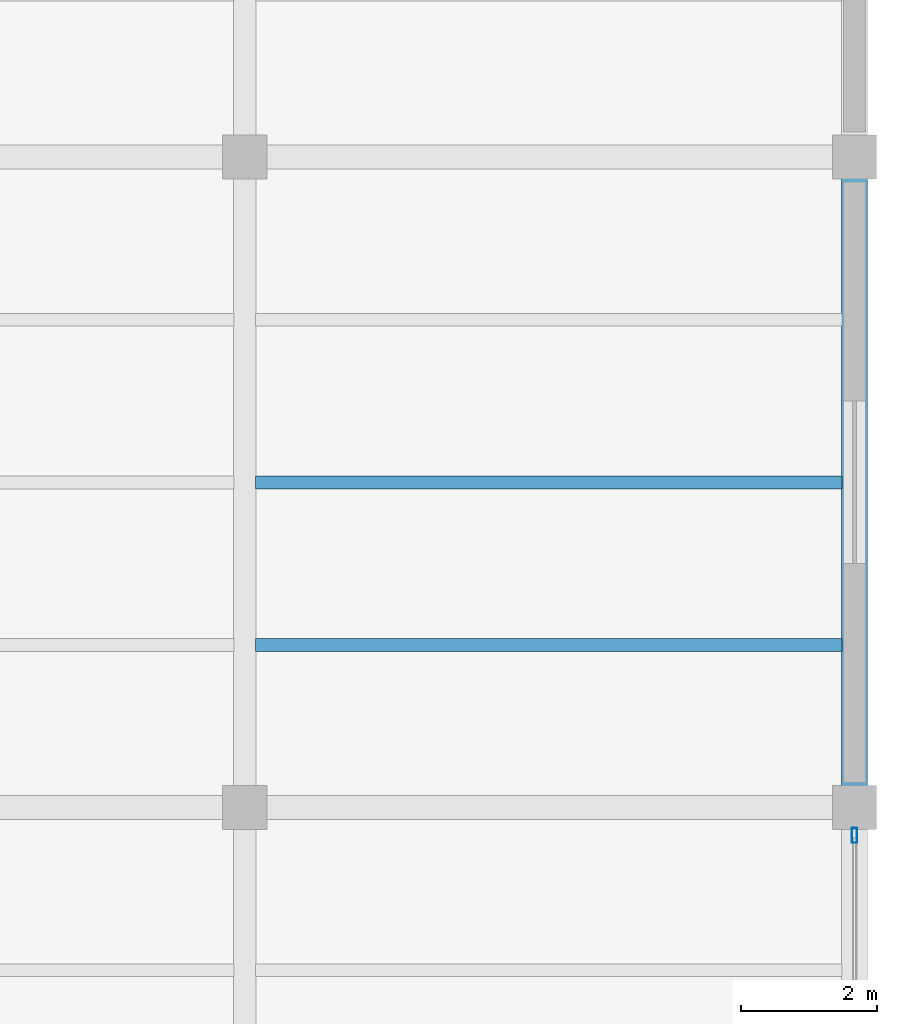
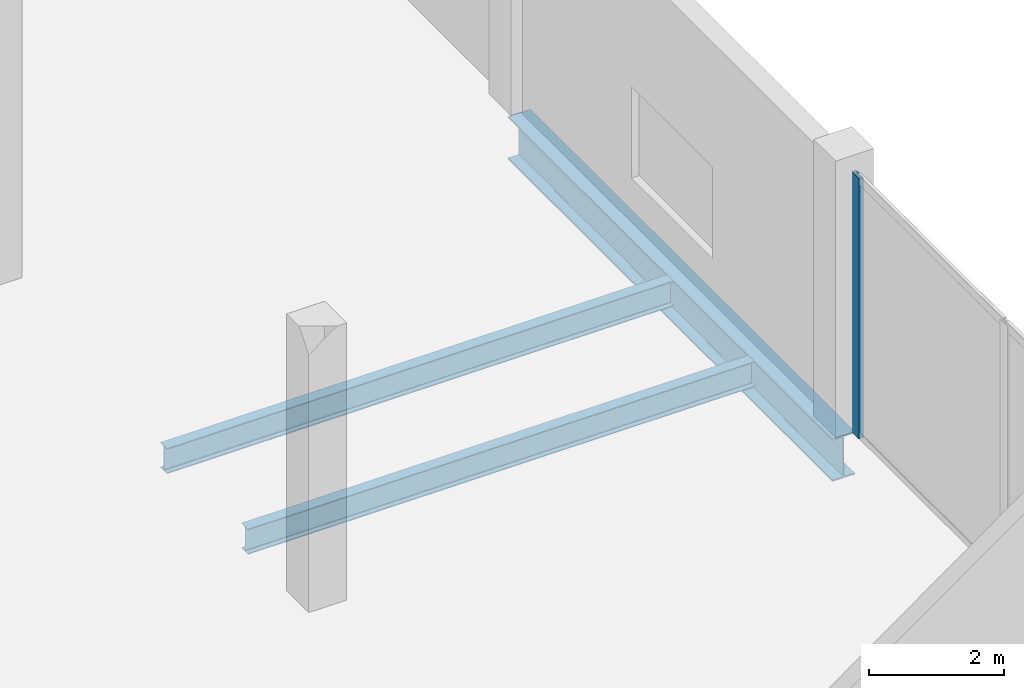
# One storey, part 24 of 43: 3 beams, 1 member, 1 element without a shape of its own.
"""IFC4 building model written with IfcOpenShell, lengths in metres."""

import ifcopenshell
import ifcopenshell.guid

model = None  # the IFC model being written
_history = None  # IfcOwnerHistory: only IFC2X3 demands one
_inside = {}  # id of a spatial element -> (the spatial element, [elements in it])
_under = {}  # id of a project, library or spatial element -> (it, [spatial elements below it])
_declared = {}  # id of a project -> (the project, [libraries it declares])
_typed = {}  # id of a type object -> (the type object, [elements of that type])
_made_of = {}  # id of a material, layer set ... -> (it, [elements and type objects made of it])


def new_model(schema):
    """Start an empty IFC model of exactly this schema.

    Asked for "IFC4X3", IfcOpenShell would pick the latest addendum, in which some entities
    have other attributes; the version numbers below select the first issue.
    IFC2X3 requires an IfcOwnerHistory on every rooted entity: one is made here for all.
    """
    global model, _history
    if schema == "IFC4X3":
        model = ifcopenshell.file(schema_version=(4, 3, 0, 0))
    else:
        model = ifcopenshell.file(schema=schema)
    _inside.clear()
    _under.clear()
    _declared.clear()
    _typed.clear()
    _made_of.clear()
    _history = None
    if model.schema == "IFC2X3":
        org = make("IfcOrganization", Name="unknown")
        user = make(
            "IfcPersonAndOrganization",
            ThePerson=make("IfcPerson", FamilyName="unknown"),
            TheOrganization=org,
        )
        app = make(
            "IfcApplication",
            ApplicationDeveloper=org,
            Version="unknown",
            ApplicationFullName="unknown",
            ApplicationIdentifier="unknown",
        )
        _history = make(
            "IfcOwnerHistory",
            OwningUser=user,
            OwningApplication=app,
            ChangeAction="ADDED",
            CreationDate=0,
        )
    return model


def make(cls, **values):
    """One entity of the class cls with the attributes given. An attribute that is None is left unset."""
    return model.create_entity(
        cls, **{name: value for name, value in values.items() if value is not None}
    )


def rooted(cls, **values):
    """An entity with a GlobalId (a new one), such as an element, a storey or a relation."""
    return make(cls, GlobalId=ifcopenshell.guid.new(), OwnerHistory=_history, **values)


def si_unit(unit_type, name, prefix=None):
    """IfcSIUnit, for example si_unit("LENGTHUNIT", "METRE", prefix="MILLI")."""
    return make("IfcSIUnit", UnitType=unit_type, Prefix=prefix, Name=name)


def assignment(units):
    """IfcUnitAssignment: the units of a project."""
    return None if units is None else make("IfcUnitAssignment", Units=units)


def point(xyz):
    """IfcCartesianPoint."""
    return None if xyz is None else make("IfcCartesianPoint", Coordinates=xyz)


def direction(xyz):
    """IfcDirection."""
    return None if xyz is None else make("IfcDirection", DirectionRatios=xyz)


def frame(location, z_axis=None, x_axis=None):
    """IfcAxis2Placement3D, a coordinate frame: its origin and axes. An axis left out is left unset."""
    return make(
        "IfcAxis2Placement3D",
        Location=point(location),
        Axis=direction(z_axis),
        RefDirection=direction(x_axis),
    )


def frame_2d(location, x_axis=None):
    """IfcAxis2Placement2D, a coordinate frame in the plane: its origin and x axis."""
    return make(
        "IfcAxis2Placement2D", Location=point(location), RefDirection=direction(x_axis)
    )


def origin():
    """The frame at (0, 0, 0) with its axes left unset."""
    return frame((0.0, 0.0, 0.0))


def origin_2d():
    """The frame at (0, 0) in the plane with its x axis left unset."""
    return frame_2d((0.0, 0.0))


def place(relative_to, where):
    """IfcLocalPlacement: puts the frame where relative to a parent placement (None: the world)."""
    return make(
        "IfcLocalPlacement", PlacementRelTo=relative_to, RelativePlacement=where
    )


def context(
    kind, dimensions, precision=None, world=None, true_north=None, identifier=None
):
    """IfcGeometricRepresentationContext, for example the 3D "Model" context."""
    return make(
        "IfcGeometricRepresentationContext",
        ContextIdentifier=identifier,
        ContextType=kind,
        CoordinateSpaceDimension=dimensions,
        Precision=precision,
        WorldCoordinateSystem=world,
        TrueNorth=true_north,
    )


def subcontext(parent, identifier, kind, view, scale=None):
    """IfcGeometricRepresentationSubContext, for example "Body" below "Model"."""
    return make(
        "IfcGeometricRepresentationSubContext",
        ContextIdentifier=identifier,
        ContextType=kind,
        ParentContext=parent,
        TargetScale=scale,
        TargetView=view,
    )


def project(units=None, contexts=None):
    """IfcProject with its units and contexts."""
    return rooted(
        "IfcProject",
        Name="project",
        RepresentationContexts=contexts,
        UnitsInContext=assignment(units),
    )


def spatial(cls, under=None, at=None, **own):
    """A site, building, storey or space (cls), placed at a placement, below another one or the project."""
    s = rooted(cls, ObjectPlacement=at, **own)
    if under is not None:
        _under.setdefault(under.id(), (under, []))[1].append(s)
    return s


def profile(cls, at=None, kind="AREA", **sizes):
    """A parametric profile (cls). Its sizes go by their IFC names, for example OverallWidth=200.0."""
    return make(cls, ProfileType=kind, Position=at, **sizes)


def hollow_rectangle(**sizes):
    """IfcRectangleHollowProfileDef."""
    return profile("IfcRectangleHollowProfileDef", **sizes)


def i_section(**sizes):
    """IfcIShapeProfileDef."""
    return profile("IfcIShapeProfileDef", **sizes)


def extrude(swept, where, along, depth):
    """IfcExtrudedAreaSolid: the profile swept, set in the frame where, extruded along a direction by depth."""
    return make(
        "IfcExtrudedAreaSolid",
        SweptArea=swept,
        Position=where,
        ExtrudedDirection=direction(along),
        Depth=depth,
    )


def shape(context_of_items, identifier, shape_type, items):
    """IfcShapeRepresentation: the items that make up one representation, for example the "Body"."""
    return make(
        "IfcShapeRepresentation",
        ContextOfItems=context_of_items,
        RepresentationIdentifier=identifier,
        RepresentationType=shape_type,
        Items=items,
    )


def material(Name=None, Category=None):
    """IfcMaterial."""
    return make("IfcMaterial", Name=Name, Category=Category)


def layer(
    of_material, thickness, ventilated=None, Name=None, Category=None, Priority=None
):
    """IfcMaterialLayer: one layer of a wall or slab, of a material (None: an air gap)."""
    return make(
        "IfcMaterialLayer",
        Material=of_material,
        LayerThickness=thickness,
        IsVentilated=ventilated,
        Name=Name,
        Category=Category,
        Priority=Priority,
    )


def layer_set(layers, Name=None):
    """IfcMaterialLayerSet."""
    return make("IfcMaterialLayerSet", MaterialLayers=layers, LayerSetName=Name)


def material_profile(
    of_material, cross_section, Name=None, Category=None, Priority=None
):
    """IfcMaterialProfile: a cross section and its material."""
    return make(
        "IfcMaterialProfile",
        Name=Name,
        Material=of_material,
        Profile=cross_section,
        Priority=Priority,
        Category=Category,
    )


def profile_set(profiles, Name=None, composite=None):
    """IfcMaterialProfileSet."""
    return make(
        "IfcMaterialProfileSet",
        Name=Name,
        MaterialProfiles=profiles,
        CompositeProfile=composite,
    )


def made_of(thing, what):
    """Note that an element or type object is made of a material, layer set ...; save() writes the relation."""
    if what is not None:
        _made_of.setdefault(what.id(), (what, []))[1].append(thing)
    return thing


def type_object(cls, material=None, **own):
    """A type object (cls), such as IfcWallType, which elements share."""
    return made_of(rooted(cls, **own), material)


def element(
    cls,
    number,
    at=None,
    inside=None,
    cuts=None,
    type_object=None,
    material=None,
    context=None,
    identifier="Body",
    shape_type=None,
    held_by="IfcProductDefinitionShape",
    body=None,
    shapes=None,
    **own,
):
    """One element of the class cls, such as IfcWall. Its Tag is "e" and its number.

    at: its placement. inside: the storey or other place that contains it. cuts: it is an
    opening in that element (IfcRelVoidsElement). A single representation is given by context,
    identifier, shape_type and body (its items); several are given by shapes. held_by: the class
    of the entity that holds the representations. save() writes the other relations.
    """
    e = rooted(cls, Tag="e%d" % number, ObjectPlacement=at, **own)
    if body is not None:
        shapes = [shape(context, identifier, shape_type, body)]
    if shapes is not None:
        e.Representation = make(held_by, Representations=shapes)
    if inside is not None:
        _inside.setdefault(inside.id(), (inside, []))[1].append(e)
    if cuts is not None:
        rooted(
            "IfcRelVoidsElement", RelatingBuildingElement=cuts, RelatedOpeningElement=e
        )
    if type_object is not None:
        _typed.setdefault(type_object.id(), (type_object, []))[1].append(e)
    return made_of(e, material)


def aggregate(whole, parts):
    """IfcRelAggregates: a whole, such as a stair, and the parts it consists of."""
    return rooted("IfcRelAggregates", RelatingObject=whole, RelatedObjects=parts)


def save(model, path):
    """Write the relations noted so far, then the file.

    IfcRelAggregates (storeys below a building ...), IfcRelContainedInSpatialStructure (elements
    in a storey), IfcRelDefinesByType, IfcRelAssociatesMaterial and IfcRelDeclares: one each for
    every whole, place, type object, material and project.
    """
    for whole, parts in _under.values():
        aggregate(whole, parts)
    for where, things in _inside.values():
        rooted(
            "IfcRelContainedInSpatialStructure",
            RelatedElements=things,
            RelatingStructure=where,
        )
    for kind, things in _typed.values():
        rooted("IfcRelDefinesByType", RelatedObjects=things, RelatingType=kind)
    for what, things in _made_of.values():
        rooted("IfcRelAssociatesMaterial", RelatedObjects=things, RelatingMaterial=what)
    for by, libraries in _declared.values():
        rooted("IfcRelDeclares", RelatingContext=by, RelatedDefinitions=libraries)
    model.write(path)


model = new_model("IFC4")

# Units and contexts
model_context = context("Model", 3, precision=1e-05, world=origin(), true_north=direction((0.0, 1.0)))
body_context = subcontext(model_context, "Body", "Model", "MODEL_VIEW")
ifc_project = project(units=[si_unit("LENGTHUNIT", "METRE"), si_unit("AREAUNIT", "SQUARE_METRE"), si_unit("VOLUMEUNIT", "CUBIC_METRE"), si_unit("PLANEANGLEUNIT", "RADIAN"), si_unit("MASSUNIT", "GRAM", prefix="KILO")], contexts=[model_context])

# Site, building, storey
site_placement = place(None, origin())
site = spatial("IfcSite", under=ifc_project, at=site_placement, CompositionType="ELEMENT")
building_placement = place(site_placement, origin())
building = spatial("IfcBuilding", under=site, at=building_placement, Name="Qorvath Tower", CompositionType="ELEMENT")
storey_placement = place(building_placement, frame((0.0, 0.0, 22.0)))
storey = spatial("IfcBuildingStorey", under=building, at=storey_placement, Name="L04", CompositionType="ELEMENT", Elevation=22.0)

# Beams
ifc_material_1 = material(Name="Steel ASTM A992 Grade 50", Category="steel")
ifc_material_profile_1 = material_profile(ifc_material_1, i_section(OverallWidth=0.381103515625, OverallDepth=0.77294921875, WebThickness=0.0166015625, FlangeThickness=0.027099609375, FilletRadius=0.01904296875, at=origin_2d()), Name="W30x173")
ifc_profile_set_1 = profile_set([ifc_material_profile_1], Name="Steel ASTM A992 Grade 50")
beam_type_1 = type_object("IfcBeamType", Name="BM-FG3", PredefinedType="BEAM", material=ifc_profile_set_1)
beam_placement = place(storey_placement, frame((77.39990234375, 19.199951171875, -0.646484375), z_axis=(0.0, 1.0, 0.0), x_axis=(-1.0, 0.0, 0.0)))
element("IfcBeam", 1, at=beam_placement, inside=storey, type_object=beam_type_1, Name="Library N-S Girder L04-6-7", PredefinedType="BEAM", context=body_context, shape_type="SweptSolid", body=[
    extrude(i_section(OverallWidth=0.381103515625, OverallDepth=0.77294921875, WebThickness=0.0166015625, FlangeThickness=0.027099609375, FilletRadius=0.01904296875, at=origin_2d()), origin(), (0.0, 0.0, 1.0), 9.60009765625),
])
ifc_material_2 = material(Name="Steel ASTM A992 Grade 50", Category="steel")
ifc_material_profile_2 = material_profile(ifc_material_2, i_section(OverallWidth=0.18994140625, OverallDepth=0.45703125, WebThickness=0.009033203125, FlangeThickness=0.014404296875, FilletRadius=0.011962890625, at=origin_2d()), Name="W18x50")
ifc_profile_set_2 = profile_set([ifc_material_profile_2], Name="Steel ASTM A992 Grade 50")
beam_type_2 = type_object("IfcBeamType", Name="BM-FJ2", PredefinedType="JOIST", material=ifc_profile_set_2)
for number, where, z_axis, x_axis, name in (
    (2, (68.560546875, 21.60009765625, -0.488525390625), (1.0, 0.0, 0.0), (0.0, 1.0, 0.0), "Library Stack Joist L04-7.1-5"),
    (3, (68.560546875, 24.0, -0.488525390625), (1.0, 0.0, 0.0), (0.0, 1.0, 0.0), "Library Stack Joist L04-7.2-5"),
):
    element("IfcBeam", number, at=place(storey_placement, frame(where, z_axis=z_axis, x_axis=x_axis)), inside=storey, type_object=beam_type_2, Name=name, PredefinedType="JOIST", context=body_context, shape_type="SweptSolid", body=[
        extrude(i_section(OverallWidth=0.18994140625, OverallDepth=0.45703125, WebThickness=0.009033203125, FlangeThickness=0.014404296875, FilletRadius=0.011962890625, at=origin_2d()), origin(), (0.0, 0.0, 1.0), 8.65087890625),
    ])

# Curtain wall, member
ifc_material_3 = material(Name="Anodised aluminium and triple low-E glass", Category="aluminium")
ifc_layer = layer(ifc_material_3, 0.179931640625)
ifc_layer_set = layer_set([ifc_layer], Name="CW-SYS-6")
curtain_wall_type = type_object("IfcCurtainWallType", Name="CW-SYS-6", PredefinedType="NOTDEFINED", material=ifc_layer_set)
curtain_wall_placement = place(storey_placement, origin())
curtain_wall = element("IfcCurtainWall", 4, at=curtain_wall_placement, inside=storey, type_object=curtain_wall_type, Name="Curtain Wall CW-6 CW-LIB-E-L04-6", PredefinedType="NOTDEFINED")
ifc_material_4 = material(Name="Anodised aluminium 6063-T6", Category="aluminium")
ifc_material_profile_3 = material_profile(ifc_material_4, hollow_rectangle(XDim=0.080078125, YDim=0.219970703125, WallThickness=0.00439453125, InnerFilletRadius=0.00439453125, OuterFilletRadius=0.009033203125, at=origin_2d()), Name="CWM LIB 220x80")
ifc_profile_set_3 = profile_set([ifc_material_profile_3], Name="Anodised aluminium 6063-T6")
member_type = type_object("IfcMemberType", Name="CWM-LIB", PredefinedType="MULLION", material=ifc_profile_set_3)
member_placement = place(storey_placement, frame((77.39990234375, 18.7900390625, 0.0), z_axis=(0.0, 0.0, 1.0), x_axis=(-1.0, 0.0, 0.0)))
member = element("IfcMember", 5, at=member_placement, type_object=member_type, Name="CW-6 mullion 3", PredefinedType="MULLION", context=body_context, shape_type="SweptSolid", body=[
    extrude(hollow_rectangle(XDim=0.080078125, YDim=0.219970703125, WallThickness=0.00439453125, InnerFilletRadius=0.00439453125, OuterFilletRadius=0.009033203125, at=origin_2d()), origin(), (0.0, 0.0, 1.0), 4.699951171875),
])
aggregate(curtain_wall, [member])

save(model, "model.ifc")
